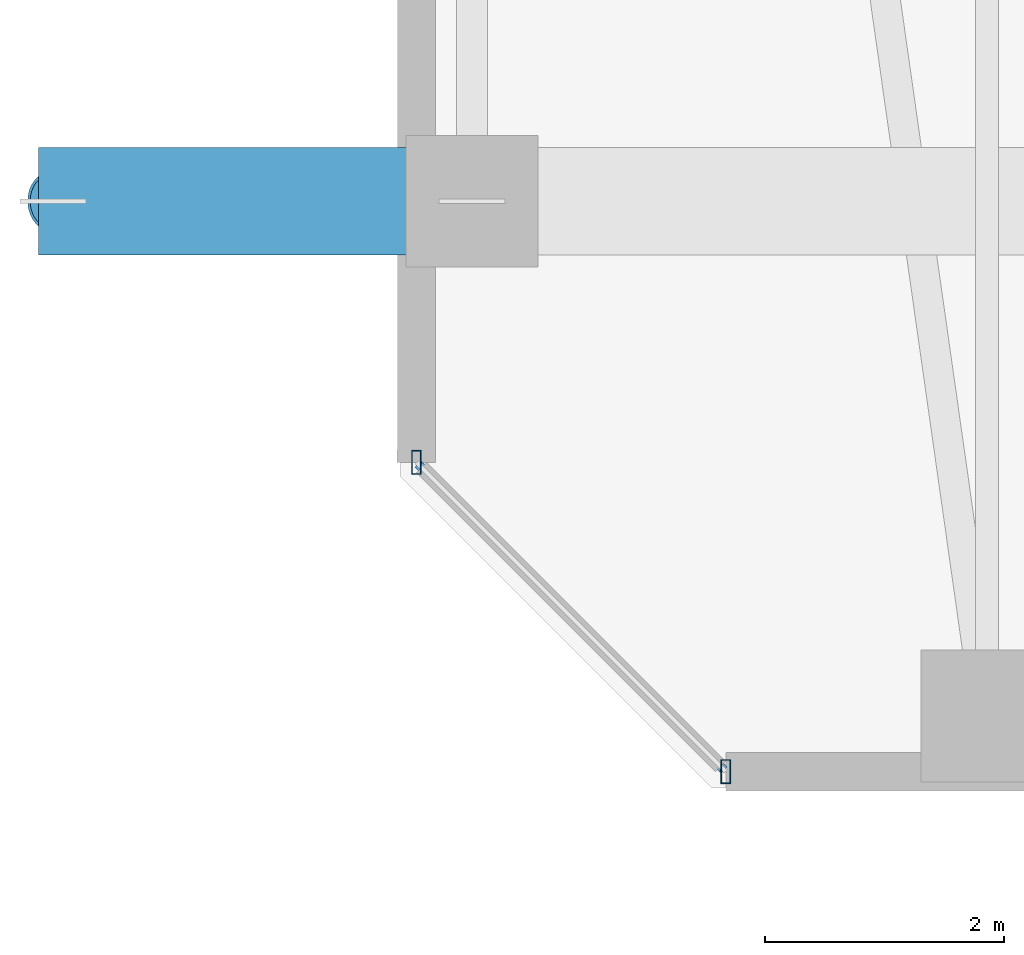
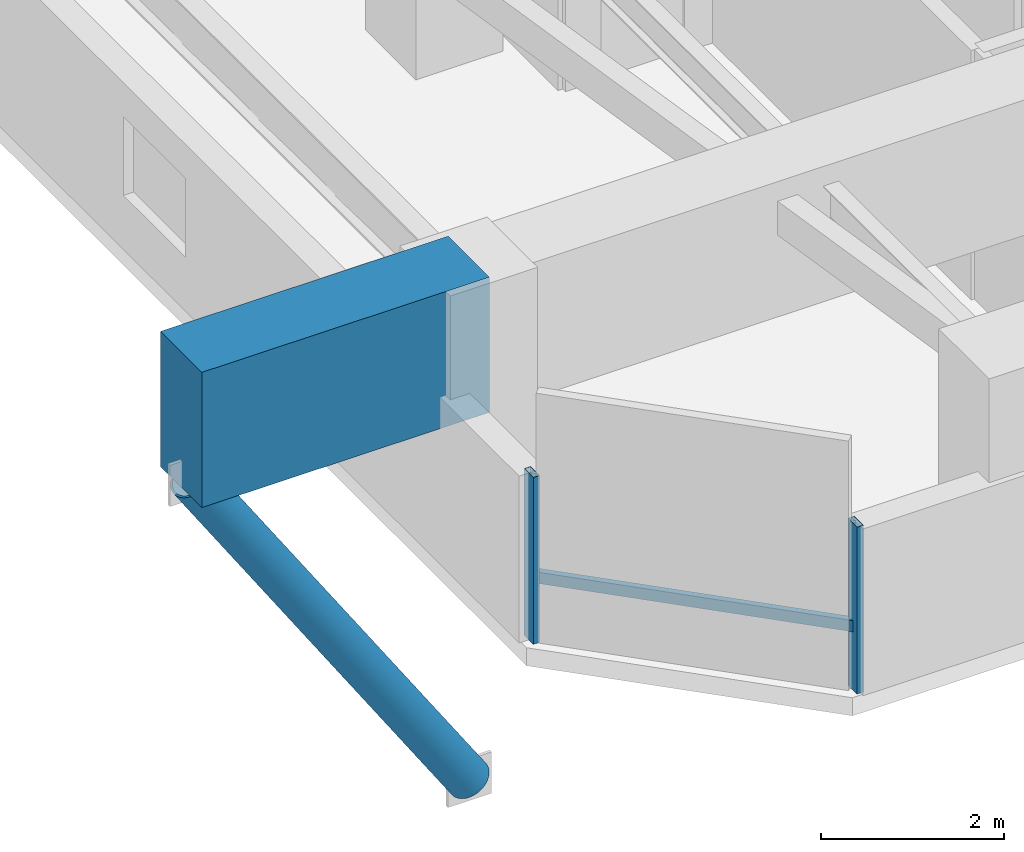
# One storey, part 3 of 36: 4 members, 1 beam, 1 element without a shape of its own.
"""IFC4 building model written with IfcOpenShell, lengths in metres."""

from ifc_helpers import new_model, si_unit, direction, frame, origin, origin_2d, place, context, subcontext, project, spatial, rectangle, hollow_rectangle, hollow_circle, extrude, material, material_profile, profile_set, type_object, element, aggregate, save


model = new_model("IFC4")

# Units and contexts
model_context = context("Model", 3, precision=1e-05, world=origin(), true_north=direction((0.0, 1.0)))
body_context = subcontext(model_context, "Body", "Model", "MODEL_VIEW")
ifc_project = project(units=[si_unit("LENGTHUNIT", "METRE"), si_unit("AREAUNIT", "SQUARE_METRE"), si_unit("VOLUMEUNIT", "CUBIC_METRE"), si_unit("PLANEANGLEUNIT", "RADIAN"), si_unit("MASSUNIT", "GRAM", prefix="KILO")], contexts=[model_context])

# Site, building, storey
site_placement = place(None, origin())
site = spatial("IfcSite", under=ifc_project, at=site_placement, CompositionType="ELEMENT")
building_placement = place(site_placement, origin())
building = spatial("IfcBuilding", under=site, at=building_placement, Name="Thornwick Lancets Civic Towers", CompositionType="ELEMENT")
storey_placement = place(building_placement, frame((0.0, 0.0, 196.5)))
storey = spatial("IfcBuildingStorey", under=building, at=storey_placement, Name="L52", CompositionType="ELEMENT", Elevation=196.5)

# Beam
ifc_material_1 = material(Name="Concrete C60/75", Category="concrete")
ifc_material_profile_1 = material_profile(ifc_material_1, rectangle(XDim=0.89990234375, YDim=1.800048828125, at=origin_2d()), Name="RC 900x1800")
ifc_profile_set_1 = profile_set([ifc_material_profile_1], Name="Concrete C60/75")
beam_type = type_object("IfcBeamType", Name="BM_TR_RC1800", PredefinedType="BEAM", material=ifc_profile_set_1)
beam_placement = place(storey_placement, frame((8.199951171875, 14.0, 2.699951171875), z_axis=(-1.0, 0.0, 0.0), x_axis=(0.0, -1.0, 0.0)))
element("IfcBeam", 1, at=beam_placement, inside=storey, type_object=beam_type, Name="TG-CANT-L53-A10", PredefinedType="BEAM", context=body_context, shape_type="SweptSolid", body=[
    extrude(rectangle(XDim=0.89990234375, YDim=1.800048828125, at=origin_2d()), origin(), (0.0, 0.0, 1.0), 3.619873046875),
])

# Curtain wall, members
ifc_material_2 = material(Name="Mid-zone chamfered-corner unitised glass curtain wall", Category="glass")
curtain_wall_type = type_object("IfcCurtainWallType", Name="CW_SYS_04", PredefinedType="NOTDEFINED", material=ifc_material_2)
curtain_wall_placement = place(storey_placement, origin())
curtain_wall = element("IfcCurtainWall", 2, at=curtain_wall_placement, inside=storey, type_object=curtain_wall_type, Name="L52 Curtain Wall CW-L52-A-E7", PredefinedType="NOTDEFINED")
ifc_material_3 = material(Name="Thermally broken bronze aluminium S355", Category="steel")
ifc_material_profile_2 = material_profile(ifc_material_3, hollow_rectangle(XDim=0.080078125, YDim=0.199951171875, WallThickness=0.006103515625, at=origin_2d()), Name="RHS 200x80x6")
ifc_profile_set_2 = profile_set([ifc_material_profile_2], Name="Thermally broken bronze aluminium S355")
member_type_1 = type_object("IfcMemberType", Name="CW_MUL_200", PredefinedType="MULLION", material=ifc_profile_set_2)
member_1_placement = place(storey_placement, frame((7.7353515625, 11.818603515625, 0.0), z_axis=(0.0, 0.0, 1.0), x_axis=(1.0, 0.0, 0.0)))
member_1 = element("IfcMember", 3, at=member_1_placement, type_object=member_type_1, Name="CW-L52-A-E7 Mullion 0", PredefinedType="MULLION", context=body_context, shape_type="SweptSolid", body=[
    extrude(hollow_rectangle(XDim=0.080078125, YDim=0.199951171875, WallThickness=0.006103515625, at=origin_2d()), origin(), (0.0, 0.0, 1.0), 2.219970703125),
])
member_2_placement = place(storey_placement, frame((10.318603515625, 9.2353515625, 0.0), z_axis=(0.0, 0.0, 1.0), x_axis=(1.0, 0.0, 0.0)))
member_2 = element("IfcMember", 4, at=member_2_placement, type_object=member_type_1, Name="CW-L52-A-E7 Mullion 1", PredefinedType="MULLION", context=body_context, shape_type="SweptSolid", body=[
    extrude(hollow_rectangle(XDim=0.080078125, YDim=0.199951171875, WallThickness=0.006103515625, at=origin_2d()), origin(), (0.0, 0.0, 1.0), 2.219970703125),
])
ifc_material_profile_3 = material_profile(ifc_material_3, hollow_rectangle(XDim=0.074951171875, YDim=0.14990234375, WallThickness=0.0048828125, at=origin_2d()), Name="RHS 150x75x5")
ifc_profile_set_3 = profile_set([ifc_material_profile_3], Name="Thermally broken bronze aluminium S355")
member_type_2 = type_object("IfcMemberType", Name="CW_TRN_150", PredefinedType="USERDEFINED", material=ifc_profile_set_3)
member_3_placement = place(storey_placement, frame((7.74951171875, 11.804443359375, 0.85009765625), z_axis=(0.707106781187, -0.707106781187, 0.0), x_axis=(0.707106781187, 0.707106781187, 0.0)))
member_3 = element("IfcMember", 5, at=member_3_placement, type_object=member_type_2, Name="CW-L52-A-E7 Transom 0", ObjectType="TRANSOM", PredefinedType="USERDEFINED", context=body_context, shape_type="SweptSolid", body=[
    extrude(hollow_rectangle(XDim=0.074951171875, YDim=0.14990234375, WallThickness=0.0048828125, at=origin_2d()), origin(), (0.0, 0.0, 1.0), 3.61328125),
])
aggregate(curtain_wall, [member_1, member_2, member_3])

# Member
ifc_material_4 = material(Name="Steel S460M", Category="steel")
ifc_material_profile_4 = material_profile(ifc_material_4, hollow_circle(Radius=0.25390625, WallThickness=0.02490234375, at=origin_2d()), Name="CHS 508x25")
ifc_profile_set_4 = profile_set([ifc_material_profile_4], Name="Steel S460M")
member_type_3 = type_object("IfcMemberType", Name="MEM_STRUT_CHS508", PredefinedType="STRUT", material=ifc_profile_set_4)
member_4_placement = place(storey_placement, frame((8.199951171875, 14.0, -3.35009765625), z_axis=(-0.556167580628, 0.0, 0.831070166868), x_axis=(0.0, -1.0, 0.0)))
element("IfcMember", 6, at=member_4_placement, inside=storey, type_object=member_type_3, Name="L53 Jenga Transfer Raking Strut A10", PredefinedType="STRUT", context=body_context, shape_type="SweptSolid", body=[
    extrude(hollow_circle(Radius=0.25390625, WallThickness=0.02490234375, at=origin_2d()), origin(), (0.0, 0.0, 1.0), 6.29296875),
])

save(model, "model.ifc")
